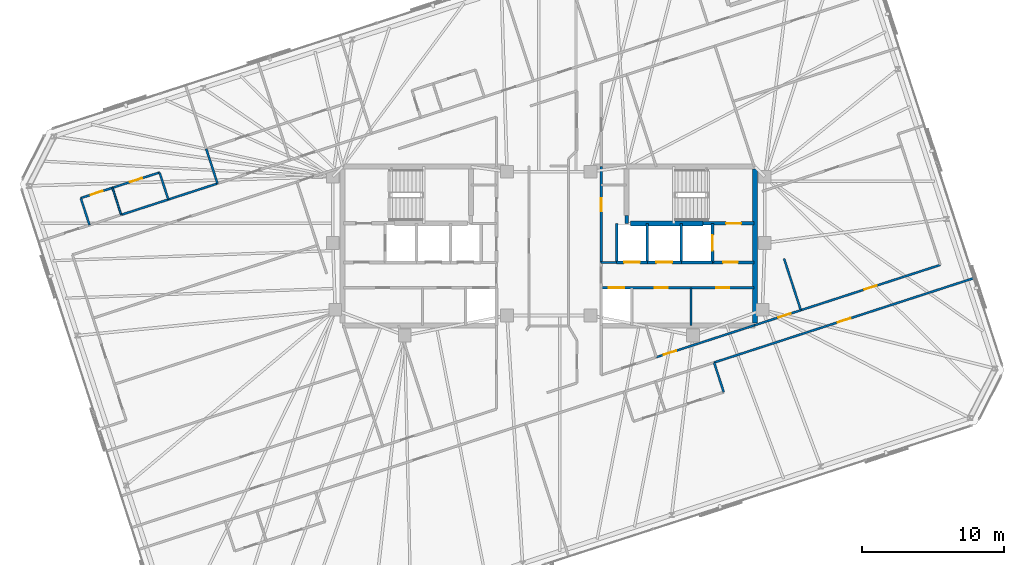
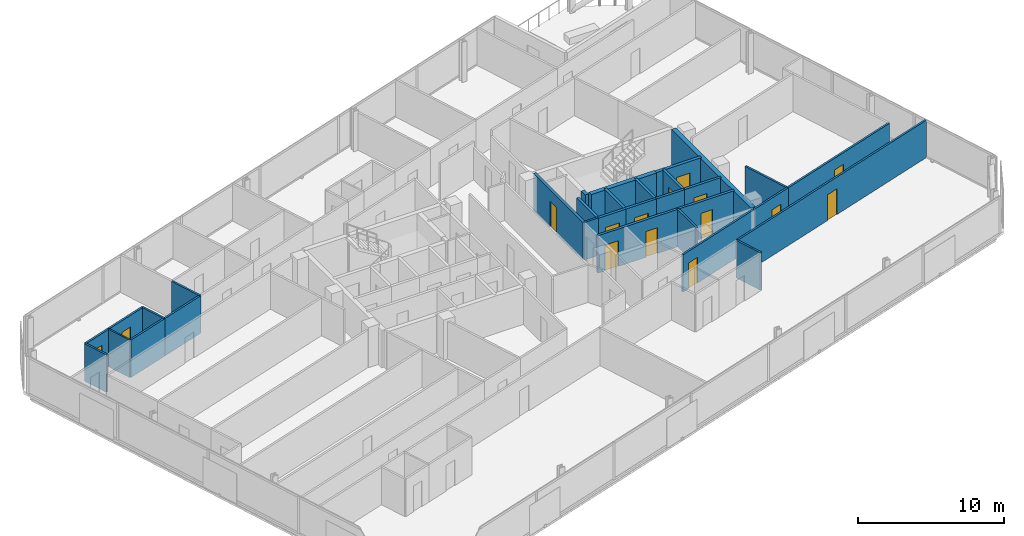
# One storey, part 15 of 19: 30 walls, 15 doors, 15 openings.
"""IFC4 building model written with IfcOpenShell, lengths in metres."""

from ifc_helpers import new_model, si_unit, direction, frame, frame_2d, origin, place, context, subcontext, project, spatial, rectangle, extrude, material, layer, layer_set, type_object, element, fill, save


model = new_model("IFC4")

# Units and contexts
model_context = context("Model", 3, precision=1e-05, world=origin(), true_north=direction((0.0, 1.0)))
body_context = subcontext(model_context, "Body", "Model", "MODEL_VIEW")
ifc_project = project(units=[si_unit("LENGTHUNIT", "METRE"), si_unit("AREAUNIT", "SQUARE_METRE"), si_unit("VOLUMEUNIT", "CUBIC_METRE"), si_unit("PLANEANGLEUNIT", "RADIAN"), si_unit("MASSUNIT", "GRAM", prefix="KILO")], contexts=[model_context])

# Site, building, storey
site_placement = place(None, origin())
site = spatial("IfcSite", under=ifc_project, at=site_placement, CompositionType="ELEMENT")
building_placement = place(site_placement, origin())
building = spatial("IfcBuilding", under=site, at=building_placement, Name="Menara Jurai Vektor", CompositionType="ELEMENT")
storey_placement = place(building_placement, frame((0.0, 0.0, 231.0)))
storey = spatial("IfcBuildingStorey", under=building, at=storey_placement, Name="L61", CompositionType="ELEMENT", Elevation=231.0)

# Wall, opening, door
ifc_material_1 = material(Name="Concrete C40/50", Category="concrete")
ifc_layer_1 = layer(ifc_material_1, 0.25)
ifc_layer_set_1 = layer_set([ifc_layer_1], Name="Concrete C40/50")
wall_type_1 = type_object("IfcWallType", Name="INT-WALL-CORE-250", PredefinedType="STANDARD", material=ifc_layer_set_1)
wall_1_placement = place(storey_placement, frame((10.89990234375, 1.60009765625, 0.0), z_axis=(0.0, 0.0, 1.0), x_axis=(1.0, 0.0, 0.0)))
wall_1 = element("IfcWall", 1, at=wall_1_placement, inside=storey, type_object=wall_type_1, Name="Interior Wall IW-250 L61", PredefinedType="STANDARD", context=body_context, shape_type="SweptSolid", body=[
    extrude(rectangle(XDim=3.60009765625, YDim=0.25, at=frame_2d((1.800048828125, 0.0))), origin(), (0.0, 0.0, 1.0), 3.125),
])
opening_1_placement = place(wall_1_placement, frame((1.6201171875, 0.0, 0.0)))
opening_1 = element("IfcOpeningElement", 2, at=opening_1_placement, cuts=wall_1, Name="Opening D-L61-ST2", PredefinedType="OPENING", context=body_context, shape_type="SweptSolid", body=[
    extrude(rectangle(XDim=1.050048828125, YDim=2.14990234375, at=frame_2d((0.52490234375, 1.074951171875))), frame((0.0, 0.135009765625, 0.0), z_axis=(0.0, -1.0, 0.0), x_axis=(1.0, 0.0, 0.0)), (0.0, 0.0, 1.0), 0.27001953125),
])
ifc_material_2 = material(Name="Fire-Rated Steel Door", Category="steel")
door_type_1 = type_object("IfcDoorType", Name="DR-STAIR-1050", OperationType="NOTDEFINED", PredefinedType="DOOR", material=ifc_material_2)
door_1_placement = place(opening_1_placement, origin())
door_1 = element("IfcDoor", 3, at=door_1_placement, inside=storey, type_object=door_type_1, Name="Exit Stair ST2 Door L61", OperationType="SINGLE_SWING_LEFT", OverallHeight=2.14990234375, OverallWidth=1.050048828125, PredefinedType="DOOR", context=body_context, shape_type="SweptSolid", body=[
    extrude(rectangle(XDim=1.050048828125, YDim=2.14990234375, at=frame_2d((0.52490234375, 1.074951171875))), frame((0.0, 0.02490234375, 0.0), z_axis=(0.0, -1.0, 0.0), x_axis=(1.0, 0.0, 0.0)), (0.0, 0.0, 1.0), 0.050048828125),
])
fill(opening_1, door_1)

# Wall
wall_2_placement = place(storey_placement, frame((5.5, 1.60009765625, 0.0), z_axis=(0.0, 0.0, 1.0), x_axis=(0.0, 1.0, 0.0)))
element("IfcWall", 4, at=wall_2_placement, inside=storey, type_object=wall_type_1, Name="Interior Wall IW-250 L61", PredefinedType="STANDARD", context=body_context, shape_type="SweptSolid", body=[
    extrude(rectangle(XDim=0.5498046875, YDim=0.25, at=frame_2d((0.27490234375, 0.0))), origin(), (0.0, 0.0, 1.0), 3.125),
])

# Wall, opening, door
wall_3_placement = place(storey_placement, frame((11.550048828125, -1.14990234375, 0.0), z_axis=(0.0, 0.0, 1.0), x_axis=(0.0, 1.0, 0.0)))
wall_3 = element("IfcWall", 5, at=wall_3_placement, inside=storey, type_object=wall_type_1, Name="Interior Wall IW-250 L61", PredefinedType="STANDARD", context=body_context, shape_type="SweptSolid", body=[
    extrude(rectangle(XDim=2.75, YDim=0.199951171875, at=frame_2d((1.375, 0.0))), origin(), (0.0, 0.0, 1.0), 3.125),
])
opening_2_placement = place(wall_3_placement, frame((0.824951171875, 0.0, 0.0)))
opening_2 = element("IfcOpeningElement", 6, at=opening_2_placement, cuts=wall_3, Name="Opening LD-L61-FL2", PredefinedType="OPENING", context=body_context, shape_type="SweptSolid", body=[
    extrude(rectangle(XDim=1.10009765625, YDim=2.14990234375, at=frame_2d((0.550048828125, 1.074951171875))), frame((0.0, 0.10986328125, 0.0), z_axis=(0.0, -1.0, 0.0), x_axis=(1.0, 0.0, 0.0)), (0.0, 0.0, 1.0), 0.219970703125),
])
ifc_material_3 = material(Name="Stainless Steel Sliding Lift Landing Door", Category="steel")
door_type_2 = type_object("IfcDoorType", Name="DR-LIFT-FIRE-1100", OperationType="NOTDEFINED", PredefinedType="DOOR", material=ifc_material_3)
door_2_placement = place(opening_2_placement, origin())
door_2 = element("IfcDoor", 7, at=door_2_placement, inside=storey, type_object=door_type_2, Name="Lift Landing Door FL2 L61", OperationType="SLIDING_TO_RIGHT", OverallHeight=2.14990234375, OverallWidth=1.10009765625, PredefinedType="DOOR", context=body_context, shape_type="SweptSolid", body=[
    extrude(rectangle(XDim=1.10009765625, YDim=2.14990234375, at=frame_2d((0.550048828125, 1.074951171875))), frame((0.0, 0.02490234375, 0.0), z_axis=(0.0, -1.0, 0.0), x_axis=(1.0, 0.0, 0.0)), (0.0, 0.0, 1.0), 0.050048828125),
])
fill(opening_2, door_2)

# Wall
wall_4_placement = place(storey_placement, frame((9.35009765625, -1.14990234375, 0.0), z_axis=(0.0, 0.0, 1.0), x_axis=(0.0, 1.0, 0.0)))
element("IfcWall", 8, at=wall_4_placement, inside=storey, type_object=wall_type_1, Name="Interior Wall IW-250 L61", PredefinedType="STANDARD", context=body_context, shape_type="SweptSolid", body=[
    extrude(rectangle(XDim=2.75, YDim=0.199951171875, at=frame_2d((1.375, 0.0))), origin(), (0.0, 0.0, 1.0), 3.125),
])

# Wall, opening, door
wall_5_placement = place(storey_placement, frame((11.550048828125, -1.14990234375, 0.0), z_axis=(0.0, 0.0, 1.0), x_axis=(1.0, 0.0, 0.0)))
wall_5 = element("IfcWall", 9, at=wall_5_placement, inside=storey, type_object=wall_type_1, Name="Interior Wall IW-250 L61", PredefinedType="STANDARD", context=body_context, shape_type="SweptSolid", body=[
    extrude(rectangle(XDim=2.949951171875, YDim=0.199951171875, at=frame_2d((1.47509765625, 0.0))), origin(), (0.0, 0.0, 1.0), 3.125),
])
opening_3_placement = place(wall_5_placement, frame((0.75, 0.0, 0.0)))
opening_3 = element("IfcOpeningElement", 10, at=opening_3_placement, cuts=wall_5, Name="Opening D-L61-FFE", PredefinedType="OPENING", context=body_context, shape_type="SweptSolid", body=[
    extrude(rectangle(XDim=1.050048828125, YDim=2.179931640625, at=frame_2d((0.52490234375, 1.08984375))), frame((0.0, 0.10986328125, 0.0), z_axis=(0.0, -1.0, 0.0), x_axis=(1.0, 0.0, 0.0)), (0.0, 0.0, 1.0), 0.219970703125),
])
ifc_material_4 = material(Name="Fire-Rated Timber Door", Category="wood")
door_type_3 = type_object("IfcDoorType", Name="DR-LOBBY-1050", OperationType="NOTDEFINED", PredefinedType="DOOR", material=ifc_material_4)
door_3_placement = place(opening_3_placement, origin())
door_3 = element("IfcDoor", 11, at=door_3_placement, inside=storey, type_object=door_type_3, Name="Fire Lift Lobby Door E L61", OperationType="SINGLE_SWING_LEFT", OverallHeight=2.179931640625, OverallWidth=1.050048828125, PredefinedType="DOOR", context=body_context, shape_type="SweptSolid", body=[
    extrude(rectangle(XDim=1.050048828125, YDim=2.179931640625, at=frame_2d((0.52490234375, 1.08984375))), frame((0.0, 0.02490234375, 0.0), z_axis=(0.0, -1.0, 0.0), x_axis=(1.0, 0.0, 0.0)), (0.0, 0.0, 1.0), 0.050048828125),
])
fill(opening_3, door_3)

# Walls
wall_6_placement = place(storey_placement, frame((9.35009765625, -1.14990234375, 0.0), z_axis=(0.0, 0.0, 1.0), x_axis=(1.0, 0.0, 0.0)))
element("IfcWall", 12, at=wall_6_placement, inside=storey, type_object=wall_type_1, Name="Interior Wall IW-250 L61", PredefinedType="STANDARD", context=body_context, shape_type="SweptSolid", body=[
    extrude(rectangle(XDim=2.199951171875, YDim=0.199951171875, at=frame_2d((1.10009765625, 0.0))), origin(), (0.0, 0.0, 1.0), 3.125),
])
ifc_material_5 = material(Name="Gypsum Fireboard Partition", Category="gypsum")
ifc_layer_2 = layer(ifc_material_5, 0.14990234375)
ifc_layer_set_2 = layer_set([ifc_layer_2], Name="Gypsum Fireboard Partition")
wall_type_2 = type_object("IfcWallType", Name="INT-WALL-CORR-150", PredefinedType="PARTITIONING", material=ifc_layer_set_2)
wall_7_placement = place(storey_placement, frame((3.699951171875, -1.14990234375, 0.0), z_axis=(0.0, 0.0, 1.0), x_axis=(1.0, 0.0, 0.0)))
element("IfcWall", 13, at=wall_7_placement, inside=storey, type_object=wall_type_2, Name="Interior Wall IW-150 L61", PredefinedType="PARTITIONING", context=body_context, shape_type="SweptSolid", body=[
    extrude(rectangle(XDim=1.090087890625, YDim=0.14990234375, at=frame_2d((0.544921875, 0.0))), origin(), (0.0, 0.0, 1.0), 3.125),
])
wall_8_placement = place(storey_placement, frame((10.0400390625, -5.60009765625, 0.0), z_axis=(0.0, 0.0, 1.0), x_axis=(0.0, 1.0, 0.0)))
element("IfcWall", 14, at=wall_8_placement, inside=storey, type_object=wall_type_2, Name="Interior Wall IW-150 L61", PredefinedType="PARTITIONING", context=body_context, shape_type="SweptSolid", body=[
    extrude(rectangle(XDim=2.650146484375, YDim=0.14990234375, at=frame_2d((1.3251953125, 0.0))), origin(), (0.0, 0.0, 1.0), 3.125),
])
wall_9_placement = place(storey_placement, frame((-26.864990234375, 3.2861328125, 0.0), z_axis=(0.0, 0.0, 1.0), x_axis=(0.951057168147, 0.309014988174, 0.0)))
element("IfcWall", 15, at=wall_9_placement, inside=storey, type_object=wall_type_2, Name="Interior Wall IW-150 L61", PredefinedType="PARTITIONING", context=body_context, shape_type="SweptSolid", body=[
    extrude(rectangle(XDim=3.650146484375, YDim=0.14990234375, at=frame_2d((1.8251953125, 0.0))), origin(), (0.0, 0.0, 1.0), 3.125),
])
wall_10_placement = place(storey_placement, frame((-30.191650390625, 2.205322265625, 0.0), z_axis=(0.0, 0.0, 1.0), x_axis=(0.951063814176, 0.308994532905, 0.0)))
element("IfcWall", 16, at=wall_10_placement, inside=storey, type_object=wall_type_2, Name="Interior Wall IW-150 L61", PredefinedType="PARTITIONING", context=body_context, shape_type="SweptSolid", body=[
    extrude(rectangle(XDim=3.497802734375, YDim=0.14990234375, at=frame_2d((1.7490234375, 0.0))), origin(), (0.0, 0.0, 1.0), 3.125),
])

# Wall, opening, door
wall_11_placement = place(storey_placement, frame((11.668701171875, -8.223388671875, 0.0), z_axis=(0.0, 0.0, 1.0), x_axis=(0.951057967787, 0.309012527106, 0.0)))
wall_11 = element("IfcWall", 17, at=wall_11_placement, inside=storey, type_object=wall_type_2, Name="Interior Wall IW-150 L61", PredefinedType="PARTITIONING", context=body_context, shape_type="SweptSolid", body=[
    extrude(rectangle(XDim=19.291015625, YDim=0.14990234375, at=frame_2d((9.6455078125, 0.0))), origin(), (0.0, 0.0, 1.0), 3.125),
])
opening_4_placement = place(wall_11_placement, frame((9.17041015625, 0.0, 0.0)))
opening_4 = element("IfcOpeningElement", 18, at=opening_4_placement, cuts=wall_11, Name="Opening D61-18", PredefinedType="OPENING", context=body_context, shape_type="SweptSolid", body=[
    extrude(rectangle(XDim=0.949951171875, YDim=2.14990234375, at=frame_2d((0.47509765625, 1.074951171875))), frame((0.0, 0.0849609375, 0.0), z_axis=(0.0, -1.0, 0.0), x_axis=(1.0, 0.0, 0.0)), (0.0, 0.0, 1.0), 0.169921875),
])
ifc_material_6 = material(Name="Solid Core Timber Fire Door", Category="wood")
door_type_4 = type_object("IfcDoorType", Name="DR-ENTRY-950", OperationType="NOTDEFINED", PredefinedType="DOOR", material=ifc_material_6)
door_4_placement = place(opening_4_placement, origin())
door_4 = element("IfcDoor", 19, at=door_4_placement, inside=storey, type_object=door_type_4, Name="Interior Door D61-18", OperationType="SINGLE_SWING_LEFT", OverallHeight=2.14990234375, OverallWidth=0.949951171875, PredefinedType="DOOR", context=body_context, shape_type="SweptSolid", body=[
    extrude(rectangle(XDim=0.949951171875, YDim=2.14990234375, at=frame_2d((0.47509765625, 1.074951171875))), frame((0.0, 0.02490234375, 0.0), z_axis=(0.0, -1.0, 0.0), x_axis=(1.0, 0.0, 0.0)), (0.0, 0.0, 1.0), 0.050048828125),
])
fill(opening_4, door_4)

wall_12_placement = place(storey_placement, frame((7.58837890625, -7.845947265625, 0.0), z_axis=(0.0, 0.0, 1.0), x_axis=(0.951058013903, 0.309012385174, 0.0)))
wall_12 = element("IfcWall", 20, at=wall_12_placement, inside=storey, type_object=wall_type_2, Name="Interior Wall IW-150 L61", PredefinedType="PARTITIONING", context=body_context, shape_type="SweptSolid", body=[
    extrude(rectangle(XDim=7.26708984375, YDim=0.14990234375, at=frame_2d((3.633544921875, 0.0))), origin(), (0.0, 0.0, 1.0), 3.125),
])
opening_5_placement = place(wall_12_placement, frame((0.557373046875, 0.0, 0.0)))
opening_5 = element("IfcOpeningElement", 21, at=opening_5_placement, cuts=wall_12, Name="Opening D61-29", PredefinedType="OPENING", context=body_context, shape_type="SweptSolid", body=[
    extrude(rectangle(XDim=0.919921875, YDim=2.14990234375, at=frame_2d((0.4599609375, 1.074951171875))), frame((0.0, 0.0849609375, 0.0), z_axis=(0.0, -1.0, 0.0), x_axis=(1.0, 0.0, 0.0)), (0.0, 0.0, 1.0), 0.169921875),
])
door_5_placement = place(opening_5_placement, origin())
door_5 = element("IfcDoor", 22, at=door_5_placement, inside=storey, type_object=door_type_4, Name="Interior Door D61-29", OperationType="SINGLE_SWING_RIGHT", OverallHeight=2.14990234375, OverallWidth=0.919921875, PredefinedType="DOOR", context=body_context, shape_type="SweptSolid", body=[
    extrude(rectangle(XDim=0.919921875, YDim=2.14990234375, at=frame_2d((0.4599609375, 1.074951171875))), frame((0.0, 0.02490234375, 0.0), z_axis=(0.0, -1.0, 0.0), x_axis=(1.0, 0.0, 0.0)), (0.0, 0.0, 1.0), 0.050048828125),
])
fill(opening_5, door_5)

wall_13_placement = place(storey_placement, frame((14.499755859375, -5.600341796875, 0.0), z_axis=(0.0, 0.0, 1.0), x_axis=(0.951047546178, 0.309044600193, 0.0)))
wall_13 = element("IfcWall", 23, at=wall_13_placement, inside=storey, type_object=wall_type_2, Name="Interior Wall IW-150 L61", PredefinedType="PARTITIONING", context=body_context, shape_type="SweptSolid", body=[
    extrude(rectangle(XDim=3.4609375, YDim=0.14990234375, at=frame_2d((1.73046875, 0.0))), origin(), (0.0, 0.0, 1.0), 3.125),
])
opening_6_placement = place(wall_13_placement, frame((1.78955078125, 0.0, 0.0)))
opening_6 = element("IfcOpeningElement", 24, at=opening_6_placement, cuts=wall_13, Name="Opening D61-31", PredefinedType="OPENING", context=body_context, shape_type="SweptSolid", body=[
    extrude(rectangle(XDim=0.919921875, YDim=2.14990234375, at=frame_2d((0.4599609375, 1.074951171875))), frame((0.0, 0.0849609375, 0.0), z_axis=(0.0, -1.0, 0.0), x_axis=(1.0, 0.0, 0.0)), (0.0, 0.0, 1.0), 0.169921875),
])
door_6_placement = place(opening_6_placement, origin())
door_6 = element("IfcDoor", 25, at=door_6_placement, inside=storey, type_object=door_type_4, Name="Interior Door D61-31", OperationType="SINGLE_SWING_RIGHT", OverallHeight=2.14990234375, OverallWidth=0.919921875, PredefinedType="DOOR", context=body_context, shape_type="SweptSolid", body=[
    extrude(rectangle(XDim=0.919921875, YDim=2.14990234375, at=frame_2d((0.4599609375, 1.074951171875))), frame((0.0, 0.02490234375, 0.0), z_axis=(0.0, -1.0, 0.0), x_axis=(1.0, 0.0, 0.0)), (0.0, 0.0, 1.0), 0.050048828125),
])
fill(opening_6, door_6)

wall_14_placement = place(storey_placement, frame((17.791259765625, -4.53076171875, 0.0), z_axis=(0.0, 0.0, 1.0), x_axis=(0.951056769902, 0.309016213852, 0.0)))
wall_14 = element("IfcWall", 26, at=wall_14_placement, inside=storey, type_object=wall_type_2, Name="Interior Wall IW-150 L61", PredefinedType="PARTITIONING", context=body_context, shape_type="SweptSolid", body=[
    extrude(rectangle(XDim=10.35205078125, YDim=0.14990234375, at=frame_2d((5.176025390625, 0.0))), origin(), (0.0, 0.0, 1.0), 3.125),
])
opening_7_placement = place(wall_14_placement, frame((4.716064453125, 0.0, 0.0)))
opening_7 = element("IfcOpeningElement", 27, at=opening_7_placement, cuts=wall_14, Name="Opening D61-43", PredefinedType="OPENING", context=body_context, shape_type="SweptSolid", body=[
    extrude(rectangle(XDim=0.919921875, YDim=2.14990234375, at=frame_2d((0.4599609375, 1.074951171875))), frame((0.0, 0.0849609375, 0.0), z_axis=(0.0, -1.0, 0.0), x_axis=(1.0, 0.0, 0.0)), (0.0, 0.0, 1.0), 0.169921875),
])
door_7_placement = place(opening_7_placement, origin())
door_7 = element("IfcDoor", 28, at=door_7_placement, inside=storey, type_object=door_type_4, Name="Interior Door D61-43", OperationType="SINGLE_SWING_RIGHT", OverallHeight=2.14990234375, OverallWidth=0.919921875, PredefinedType="DOOR", context=body_context, shape_type="SweptSolid", body=[
    extrude(rectangle(XDim=0.919921875, YDim=2.14990234375, at=frame_2d((0.4599609375, 1.074951171875))), frame((0.0, 0.02490234375, 0.0), z_axis=(0.0, -1.0, 0.0), x_axis=(1.0, 0.0, 0.0)), (0.0, 0.0, 1.0), 0.050048828125),
])
fill(opening_7, door_7)

# Wall
wall_15_placement = place(storey_placement, frame((-32.4267578125, 1.47900390625, 0.0), z_axis=(0.0, 0.0, 1.0), x_axis=(-0.309022749039, 0.951054646472, 0.0)))
element("IfcWall", 29, at=wall_15_placement, inside=storey, type_object=wall_type_2, Name="Interior Wall IW-150 L61", PredefinedType="PARTITIONING", context=body_context, shape_type="SweptSolid", body=[
    extrude(rectangle(XDim=2.005126953125, YDim=0.14990234375, at=frame_2d((1.00244140625, 0.0))), origin(), (0.0, 0.0, 1.0), 3.125),
])

# Wall, opening, door
wall_16_placement = place(storey_placement, frame((-33.04638671875, 3.385986328125, 0.0), z_axis=(0.0, 0.0, 1.0), x_axis=(0.951045519245, 0.309050837767, 0.0)))
wall_16 = element("IfcWall", 30, at=wall_16_placement, inside=storey, type_object=wall_type_2, Name="Interior Wall IW-150 L61", PredefinedType="PARTITIONING", context=body_context, shape_type="SweptSolid", body=[
    extrude(rectangle(XDim=2.35009765625, YDim=0.14990234375, at=frame_2d((1.175048828125, 0.0))), origin(), (0.0, 0.0, 1.0), 3.125),
])
opening_8_placement = place(wall_16_placement, frame((0.735107421875, 0.0, 0.0)))
opening_8 = element("IfcOpeningElement", 31, at=opening_8_placement, cuts=wall_16, Name="Opening D61-10", PredefinedType="OPENING", context=body_context, shape_type="SweptSolid", body=[
    extrude(rectangle(XDim=0.8798828125, YDim=2.14990234375, at=frame_2d((0.43994140625, 1.074951171875))), frame((0.0, 0.0849609375, 0.0), z_axis=(0.0, -1.0, 0.0), x_axis=(1.0, 0.0, 0.0)), (0.0, 0.0, 1.0), 0.169921875),
])
ifc_material_7 = material(Name="Moisture-Resistant Timber Door", Category="wood")
door_type_5 = type_object("IfcDoorType", Name="DR-BATH-880", OperationType="NOTDEFINED", PredefinedType="DOOR", material=ifc_material_7)
door_8_placement = place(opening_8_placement, origin())
door_8 = element("IfcDoor", 32, at=door_8_placement, inside=storey, type_object=door_type_5, Name="Interior Door D61-10", OperationType="SINGLE_SWING_LEFT", OverallHeight=2.14990234375, OverallWidth=0.8798828125, PredefinedType="DOOR", context=body_context, shape_type="SweptSolid", body=[
    extrude(rectangle(XDim=0.8798828125, YDim=2.14990234375, at=frame_2d((0.43994140625, 1.074951171875))), frame((0.0, 0.02490234375, 0.0), z_axis=(0.0, -1.0, 0.0), x_axis=(1.0, 0.0, 0.0)), (0.0, 0.0, 1.0), 0.050048828125),
])
fill(opening_8, door_8)

wall_17_placement = place(storey_placement, frame((-30.811279296875, 4.1123046875, 0.0), z_axis=(0.0, 0.0, 1.0), x_axis=(0.951063814176, 0.308994532905, 0.0)))
wall_17 = element("IfcWall", 33, at=wall_17_placement, inside=storey, type_object=wall_type_2, Name="Interior Wall IW-150 L61", PredefinedType="PARTITIONING", context=body_context, shape_type="SweptSolid", body=[
    extrude(rectangle(XDim=3.497802734375, YDim=0.14990234375, at=frame_2d((1.7490234375, 0.0))), origin(), (0.0, 0.0, 1.0), 3.125),
])
opening_9_placement = place(wall_17_placement, frame((1.299072265625, 0.0, 0.0)))
opening_9 = element("IfcOpeningElement", 34, at=opening_9_placement, cuts=wall_17, Name="Opening D61-11", PredefinedType="OPENING", context=body_context, shape_type="SweptSolid", body=[
    extrude(rectangle(XDim=0.89990234375, YDim=2.14990234375, at=frame_2d((0.449951171875, 1.074951171875))), frame((0.0, 0.0849609375, 0.0), z_axis=(0.0, -1.0, 0.0), x_axis=(1.0, 0.0, 0.0)), (0.0, 0.0, 1.0), 0.169921875),
])
ifc_material_8 = material(Name="Acoustic Timber Interior Door", Category="wood")
door_type_6 = type_object("IfcDoorType", Name="DR-ROOM-900", OperationType="NOTDEFINED", PredefinedType="DOOR", material=ifc_material_8)
door_9_placement = place(opening_9_placement, origin())
door_9 = element("IfcDoor", 35, at=door_9_placement, inside=storey, type_object=door_type_6, Name="Interior Door D61-11", OperationType="SINGLE_SWING_RIGHT", OverallHeight=2.14990234375, OverallWidth=0.89990234375, PredefinedType="DOOR", context=body_context, shape_type="SweptSolid", body=[
    extrude(rectangle(XDim=0.89990234375, YDim=2.14990234375, at=frame_2d((0.449951171875, 1.074951171875))), frame((0.0, 0.02490234375, 0.0), z_axis=(0.0, -1.0, 0.0), x_axis=(1.0, 0.0, 0.0)), (0.0, 0.0, 1.0), 0.050048828125),
])
fill(opening_9, door_9)

# Walls
wall_18_placement = place(storey_placement, frame((-26.864990234375, 3.2861328125, 0.0), z_axis=(0.0, 0.0, 1.0), x_axis=(-0.309022749039, 0.951054646472, 0.0)))
element("IfcWall", 36, at=wall_18_placement, inside=storey, type_object=wall_type_2, Name="Interior Wall IW-150 L61", PredefinedType="PARTITIONING", context=body_context, shape_type="SweptSolid", body=[
    extrude(rectangle(XDim=2.005126953125, YDim=0.14990234375, at=frame_2d((1.00244140625, 0.0))), origin(), (0.0, 0.0, 1.0), 3.125),
])
wall_19_placement = place(storey_placement, frame((-23.3935546875, 4.4140625, 0.0), z_axis=(0.0, 0.0, 1.0), x_axis=(-0.308976906612, 0.951069540665, 0.0)))
element("IfcWall", 37, at=wall_19_placement, inside=storey, type_object=wall_type_2, Name="Interior Wall IW-150 L61", PredefinedType="PARTITIONING", context=body_context, shape_type="SweptSolid", body=[
    extrude(rectangle(XDim=2.5791015625, YDim=0.14990234375, at=frame_2d((1.28955078125, 0.0))), origin(), (0.0, 0.0, 1.0), 3.125),
])
wall_20_placement = place(storey_placement, frame((12.3486328125, -10.31591796875, 0.0), z_axis=(0.0, 0.0, 1.0), x_axis=(-0.309028364152, 0.951052821956, 0.0)))
element("IfcWall", 38, at=wall_20_placement, inside=storey, type_object=wall_type_2, Name="Interior Wall IW-150 L61", PredefinedType="PARTITIONING", context=body_context, shape_type="SweptSolid", body=[
    extrude(rectangle(XDim=2.2001953125, YDim=0.14990234375, at=frame_2d((1.10009765625, 0.0))), origin(), (0.0, 0.0, 1.0), 3.125),
])
wall_21_placement = place(storey_placement, frame((17.791259765625, -4.53076171875, 0.0), z_axis=(0.0, 0.0, 1.0), x_axis=(-0.309018414265, 0.951056054944, 0.0)))
element("IfcWall", 39, at=wall_21_placement, inside=storey, type_object=wall_type_2, Name="Interior Wall IW-150 L61", PredefinedType="PARTITIONING", context=body_context, shape_type="SweptSolid", body=[
    extrude(rectangle(XDim=3.8349609375, YDim=0.14990234375, at=frame_2d((1.91748046875, 0.0))), origin(), (0.0, 0.0, 1.0), 3.125),
])
ifc_material_9 = material(Name="Gypsum Acoustic Stud Partition", Category="gypsum")
ifc_layer_3 = layer(ifc_material_9, 0.1201171875)
ifc_layer_set_3 = layer_set([ifc_layer_3], Name="Gypsum Acoustic Stud Partition")
wall_type_3 = type_object("IfcWallType", Name="INT-WALL-PART-120", PredefinedType="PARTITIONING", material=ifc_layer_set_3)
wall_22_placement = place(storey_placement, frame((-30.191650390625, 2.205322265625, 0.0), z_axis=(0.0, 0.0, 1.0), x_axis=(-0.309022749039, 0.951054646472, 0.0)))
element("IfcWall", 40, at=wall_22_placement, inside=storey, type_object=wall_type_3, Name="Interior Wall IW-120 L61", PredefinedType="PARTITIONING", context=body_context, shape_type="SweptSolid", body=[
    extrude(rectangle(XDim=2.005126953125, YDim=0.1201171875, at=frame_2d((1.00244140625, 0.0))), origin(), (0.0, 0.0, 1.0), 3.125),
])

# Wall, opening, door
ifc_layer_4 = layer(ifc_material_1, 0.199951171875)
ifc_layer_set_4 = layer_set([ifc_layer_4], Name="Concrete C40/50")
wall_type_4 = type_object("IfcWallType", Name="INT-WALL-SHAFT-200", PredefinedType="STANDARD", material=ifc_layer_set_4)
wall_23_placement = place(storey_placement, frame((3.699951171875, -1.14990234375, 0.0), z_axis=(0.0, 0.0, 1.0), x_axis=(0.0, 1.0, 0.0)))
wall_23 = element("IfcWall", 41, at=wall_23_placement, inside=storey, type_object=wall_type_4, Name="Interior Wall IW-200 L61", PredefinedType="STANDARD", context=body_context, shape_type="SweptSolid", body=[
    extrude(rectangle(XDim=6.75, YDim=0.199951171875, at=frame_2d((3.375, 0.0))), origin(), (0.0, 0.0, 1.0), 3.125),
])
opening_10_placement = place(wall_23_placement, frame((3.60009765625, 0.0, 0.0)))
opening_10 = element("IfcOpeningElement", 42, at=opening_10_placement, cuts=wall_23, Name="Opening D61-07", PredefinedType="OPENING", context=body_context, shape_type="SweptSolid", body=[
    extrude(rectangle(XDim=0.919921875, YDim=2.14990234375, at=frame_2d((0.4599609375, 1.074951171875))), frame((0.0, 0.10986328125, 0.0), z_axis=(0.0, -1.0, 0.0), x_axis=(1.0, 0.0, 0.0)), (0.0, 0.0, 1.0), 0.219970703125),
])
door_10_placement = place(opening_10_placement, origin())
door_10 = element("IfcDoor", 43, at=door_10_placement, inside=storey, type_object=door_type_4, Name="Interior Door D61-07", OperationType="SINGLE_SWING_RIGHT", OverallHeight=2.14990234375, OverallWidth=0.919921875, PredefinedType="DOOR", context=body_context, shape_type="SweptSolid", body=[
    extrude(rectangle(XDim=0.919921875, YDim=2.14990234375, at=frame_2d((0.4599609375, 1.074951171875))), frame((0.0, 0.02490234375, 0.0), z_axis=(0.0, -1.0, 0.0), x_axis=(1.0, 0.0, 0.0)), (0.0, 0.0, 1.0), 0.050048828125),
])
fill(opening_10, door_10)

# Wall
wall_24_placement = place(storey_placement, frame((6.949951171875, -1.14990234375, 0.0), z_axis=(0.0, 0.0, 1.0), x_axis=(0.0, 1.0, 0.0)))
element("IfcWall", 44, at=wall_24_placement, inside=storey, type_object=wall_type_4, Name="Interior Wall IW-200 L61", PredefinedType="STANDARD", context=body_context, shape_type="SweptSolid", body=[
    extrude(rectangle(XDim=2.75, YDim=0.199951171875, at=frame_2d((1.375, 0.0))), origin(), (0.0, 0.0, 1.0), 3.125),
])

# Wall, opening, door
wall_25_placement = place(storey_placement, frame((6.949951171875, -1.14990234375, 0.0), z_axis=(0.0, 0.0, 1.0), x_axis=(1.0, 0.0, 0.0)))
wall_25 = element("IfcWall", 45, at=wall_25_placement, inside=storey, type_object=wall_type_4, Name="Interior Wall IW-200 L61", PredefinedType="STANDARD", context=body_context, shape_type="SweptSolid", body=[
    extrude(rectangle(XDim=2.400146484375, YDim=0.199951171875, at=frame_2d((1.2001953125, 0.0))), origin(), (0.0, 0.0, 1.0), 3.125),
])
opening_11_placement = place(wall_25_placement, frame((0.64990234375, 0.0, 0.0)))
opening_11 = element("IfcOpeningElement", 46, at=opening_11_placement, cuts=wall_25, Name="Opening LD-L61-SVL2", PredefinedType="OPENING", context=body_context, shape_type="SweptSolid", body=[
    extrude(rectangle(XDim=1.10009765625, YDim=2.14990234375, at=frame_2d((0.550048828125, 1.074951171875))), frame((0.0, 0.10986328125, 0.0), z_axis=(0.0, -1.0, 0.0), x_axis=(1.0, 0.0, 0.0)), (0.0, 0.0, 1.0), 0.219970703125),
])
ifc_material_10 = material(Name="Anodised Stainless Sliding Lift Landing Door", Category="steel")
door_type_7 = type_object("IfcDoorType", Name="DR-LIFT-PASS-1100", OperationType="NOTDEFINED", PredefinedType="DOOR", material=ifc_material_10)
door_11_placement = place(opening_11_placement, origin())
door_11 = element("IfcDoor", 47, at=door_11_placement, inside=storey, type_object=door_type_7, Name="Lift Landing Door SVL2 L61", OperationType="SLIDING_TO_RIGHT", OverallHeight=2.14990234375, OverallWidth=1.10009765625, PredefinedType="DOOR", context=body_context, shape_type="SweptSolid", body=[
    extrude(rectangle(XDim=1.10009765625, YDim=2.14990234375, at=frame_2d((0.550048828125, 1.074951171875))), frame((0.0, 0.02490234375, 0.0), z_axis=(0.0, -1.0, 0.0), x_axis=(1.0, 0.0, 0.0)), (0.0, 0.0, 1.0), 0.050048828125),
])
fill(opening_11, door_11)

# Wall
wall_26_placement = place(storey_placement, frame((4.7900390625, -1.14990234375, 0.0), z_axis=(0.0, 0.0, 1.0), x_axis=(0.0, 1.0, 0.0)))
element("IfcWall", 48, at=wall_26_placement, inside=storey, type_object=wall_type_4, Name="Interior Wall IW-200 L61", PredefinedType="STANDARD", context=body_context, shape_type="SweptSolid", body=[
    extrude(rectangle(XDim=2.75, YDim=0.199951171875, at=frame_2d((1.375, 0.0))), origin(), (0.0, 0.0, 1.0), 3.125),
])

# Wall, opening, door
wall_27_placement = place(storey_placement, frame((4.7900390625, -1.14990234375, 0.0), z_axis=(0.0, 0.0, 1.0), x_axis=(1.0, 0.0, 0.0)))
wall_27 = element("IfcWall", 49, at=wall_27_placement, inside=storey, type_object=wall_type_4, Name="Interior Wall IW-200 L61", PredefinedType="STANDARD", context=body_context, shape_type="SweptSolid", body=[
    extrude(rectangle(XDim=2.159912109375, YDim=0.199951171875, at=frame_2d((1.080078125, 0.0))), origin(), (0.0, 0.0, 1.0), 3.125),
])
opening_12_placement = place(wall_27_placement, frame((0.530029296875, 0.0, 0.0)))
opening_12 = element("IfcOpeningElement", 50, at=opening_12_placement, cuts=wall_27, Name="Opening LD-L61-PH4", PredefinedType="OPENING", context=body_context, shape_type="SweptSolid", body=[
    extrude(rectangle(XDim=1.10009765625, YDim=2.14990234375, at=frame_2d((0.550048828125, 1.074951171875))), frame((0.0, 0.10986328125, 0.0), z_axis=(0.0, -1.0, 0.0), x_axis=(1.0, 0.0, 0.0)), (0.0, 0.0, 1.0), 0.219970703125),
])
door_12_placement = place(opening_12_placement, origin())
door_12 = element("IfcDoor", 51, at=door_12_placement, inside=storey, type_object=door_type_7, Name="Lift Landing Door PH4 L61", OperationType="SLIDING_TO_LEFT", OverallHeight=2.14990234375, OverallWidth=1.10009765625, PredefinedType="DOOR", context=body_context, shape_type="SweptSolid", body=[
    extrude(rectangle(XDim=1.10009765625, YDim=2.14990234375, at=frame_2d((0.550048828125, 1.074951171875))), frame((0.0, 0.02490234375, 0.0), z_axis=(0.0, -1.0, 0.0), x_axis=(1.0, 0.0, 0.0)), (0.0, 0.0, 1.0), 0.050048828125),
])
fill(opening_12, door_12)

# Wall, openings, doors
wall_28_placement = place(storey_placement, frame((3.699951171875, -2.949951171875, 0.0), z_axis=(0.0, 0.0, 1.0), x_axis=(1.0, 0.0, 0.0)))
wall_28 = element("IfcWall", 52, at=wall_28_placement, inside=storey, type_object=wall_type_4, Name="Interior Wall IW-200 L61", PredefinedType="STANDARD", context=body_context, shape_type="SweptSolid", body=[
    extrude(rectangle(XDim=10.800048828125, YDim=0.199951171875, at=frame_2d((5.39990234375, 0.0))), origin(), (0.0, 0.0, 1.0), 3.125),
])
opening_13_placement = place(wall_28_placement, frame((0.530029296875, 0.0, 0.0)))
opening_13 = element("IfcOpeningElement", 53, at=opening_13_placement, cuts=wall_28, Name="Opening LD-L61-PH3", PredefinedType="OPENING", context=body_context, shape_type="SweptSolid", body=[
    extrude(rectangle(XDim=1.10009765625, YDim=2.14990234375, at=frame_2d((0.550048828125, 1.074951171875))), frame((0.0, 0.10986328125, 0.0), z_axis=(0.0, -1.0, 0.0), x_axis=(1.0, 0.0, 0.0)), (0.0, 0.0, 1.0), 0.219970703125),
])
opening_14_placement = place(wall_28_placement, frame((3.7900390625, 0.0, 0.0)))
opening_14 = element("IfcOpeningElement", 54, at=opening_14_placement, cuts=wall_28, Name="Opening D61-05", PredefinedType="OPENING", context=body_context, shape_type="SweptSolid", body=[
    extrude(rectangle(XDim=0.919921875, YDim=2.14990234375, at=frame_2d((0.4599609375, 1.074951171875))), frame((0.0, 0.10986328125, 0.0), z_axis=(0.0, -1.0, 0.0), x_axis=(1.0, 0.0, 0.0)), (0.0, 0.0, 1.0), 0.219970703125),
])
opening_15_placement = place(wall_28_placement, frame((8.110107421875, 0.0, 0.0)))
opening_15 = element("IfcOpeningElement", 55, at=opening_15_placement, cuts=wall_28, Name="Opening D61-06", PredefinedType="OPENING", context=body_context, shape_type="SweptSolid", body=[
    extrude(rectangle(XDim=0.919921875, YDim=2.14990234375, at=frame_2d((0.4599609375, 1.074951171875))), frame((0.0, 0.10986328125, 0.0), z_axis=(0.0, -1.0, 0.0), x_axis=(1.0, 0.0, 0.0)), (0.0, 0.0, 1.0), 0.219970703125),
])
door_13_placement = place(opening_14_placement, origin())
door_13 = element("IfcDoor", 56, at=door_13_placement, inside=storey, type_object=door_type_4, Name="Interior Door D61-05", OperationType="SINGLE_SWING_LEFT", OverallHeight=2.14990234375, OverallWidth=0.919921875, PredefinedType="DOOR", context=body_context, shape_type="SweptSolid", body=[
    extrude(rectangle(XDim=0.919921875, YDim=2.14990234375, at=frame_2d((0.4599609375, 1.074951171875))), frame((0.0, 0.02490234375, 0.0), z_axis=(0.0, -1.0, 0.0), x_axis=(1.0, 0.0, 0.0)), (0.0, 0.0, 1.0), 0.050048828125),
])
fill(opening_14, door_13)
door_14_placement = place(opening_15_placement, origin())
door_14 = element("IfcDoor", 57, at=door_14_placement, inside=storey, type_object=door_type_4, Name="Interior Door D61-06", OperationType="SINGLE_SWING_RIGHT", OverallHeight=2.14990234375, OverallWidth=0.919921875, PredefinedType="DOOR", context=body_context, shape_type="SweptSolid", body=[
    extrude(rectangle(XDim=0.919921875, YDim=2.14990234375, at=frame_2d((0.4599609375, 1.074951171875))), frame((0.0, 0.02490234375, 0.0), z_axis=(0.0, -1.0, 0.0), x_axis=(1.0, 0.0, 0.0)), (0.0, 0.0, 1.0), 0.050048828125),
])
fill(opening_15, door_14)
door_15_placement = place(opening_13_placement, origin())
door_15 = element("IfcDoor", 58, at=door_15_placement, inside=storey, type_object=door_type_7, Name="Lift Landing Door PH3 L61", OperationType="SLIDING_TO_RIGHT", OverallHeight=2.14990234375, OverallWidth=1.10009765625, PredefinedType="DOOR", context=body_context, shape_type="SweptSolid", body=[
    extrude(rectangle(XDim=1.10009765625, YDim=2.14990234375, at=frame_2d((0.550048828125, 1.074951171875))), frame((0.0, 0.02490234375, 0.0), z_axis=(0.0, -1.0, 0.0), x_axis=(1.0, 0.0, 0.0)), (0.0, 0.0, 1.0), 0.050048828125),
])
fill(opening_13, door_15)

# Walls
ifc_material_11 = material(Name="Concrete C50/60", Category="concrete")
ifc_layer_5 = layer(ifc_material_11, 0.35009765625)
ifc_layer_set_5 = layer_set([ifc_layer_5], Name="Concrete C50/60")
wall_type_5 = type_object("IfcWallType", Name="STR-WALL-CORE350", PredefinedType="SHEAR", material=ifc_layer_set_5)
wall_29_placement = place(storey_placement, frame((14.56005859375, -5.425048828125, 0.0), z_axis=(0.0, 0.0, 1.0), x_axis=(0.0, 1.0, 0.0)))
element("IfcWall", 59, at=wall_29_placement, inside=storey, type_object=wall_type_5, Name="Core Shear Wall CW-E-E L61", PredefinedType="SHEAR", context=body_context, shape_type="SweptSolid", body=[
    extrude(rectangle(XDim=10.85009765625, YDim=0.35009765625, at=frame_2d((5.425048828125, 0.0))), origin(), (0.0, 0.0, 1.0), 3.125),
])
wall_30_placement = place(storey_placement, frame((5.75, 1.60009765625, 0.0), z_axis=(0.0, 0.0, 1.0), x_axis=(1.0, 0.0, 0.0)))
element("IfcWall", 60, at=wall_30_placement, inside=storey, type_object=wall_type_5, Name="Core Shear Wall CW-E-STS L61", PredefinedType="SHEAR", context=body_context, shape_type="SweptSolid", body=[
    extrude(rectangle(XDim=5.14990234375, YDim=0.35009765625, at=frame_2d((2.574951171875, 0.0))), origin(), (0.0, 0.0, 1.0), 3.125),
])

save(model, "model.ifc")
